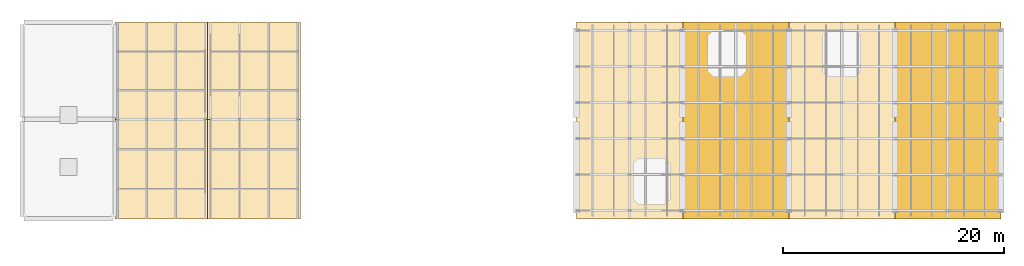
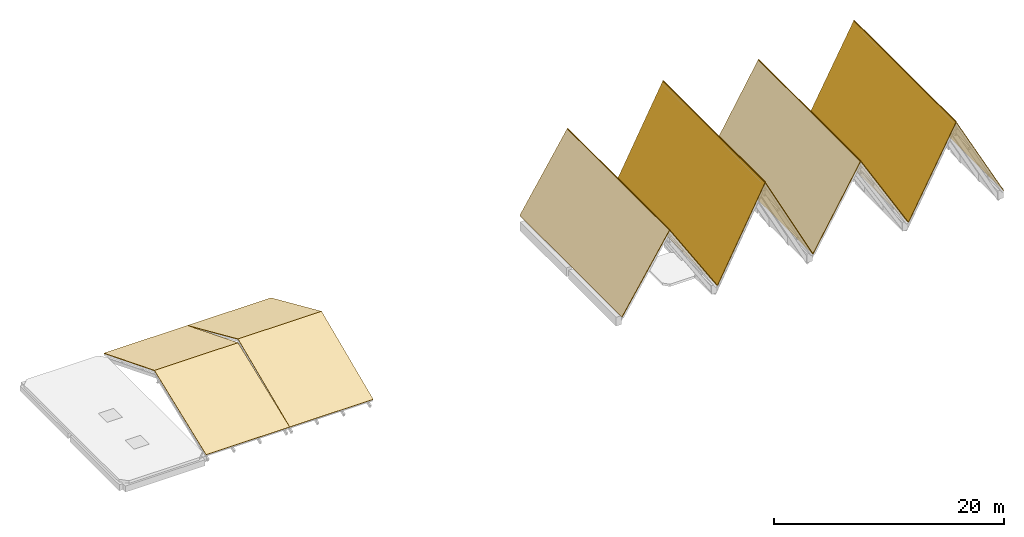
# One storey, part 3 of 3: 12 coverings.
"""IFC4 building model written with IfcOpenShell, lengths in metres."""

from ifc_helpers import new_model, si_unit, direction, frame, origin, place, context, subcontext, project, spatial, polyline, outline, extrude, material, layer, layer_set, type_object, element, save


model = new_model("IFC4")

# Units and contexts
model_context = context("Model", 3, precision=1e-05, world=origin(), true_north=direction((0.0, 1.0)))
body_context = subcontext(model_context, "Body", "Model", "MODEL_VIEW")
ifc_project = project(units=[si_unit("LENGTHUNIT", "METRE"), si_unit("AREAUNIT", "SQUARE_METRE"), si_unit("VOLUMEUNIT", "CUBIC_METRE"), si_unit("PLANEANGLEUNIT", "RADIAN"), si_unit("MASSUNIT", "GRAM", prefix="KILO")], contexts=[model_context])

# Site, building, storey
site_placement = place(None, origin())
site = spatial("IfcSite", under=ifc_project, at=site_placement, CompositionType="ELEMENT")
building_placement = place(site_placement, origin())
building = spatial("IfcBuilding", under=site, at=building_placement, Name="Birchvale Park Specialist Clinic", CompositionType="ELEMENT")
storey_placement = place(building_placement, frame((0.0, 0.0, 26.39990234375)))
storey = spatial("IfcBuildingStorey", under=building, at=storey_placement, Name="L06", CompositionType="ELEMENT", Elevation=26.39990234375)

# Coverings
ifc_material = material(Name="Standing-seam titanium-zinc roofing")
ifc_layer = layer(ifc_material, 0.06005859375)
ifc_layer_set = layer_set([ifc_layer], Name="Standing-seam titanium-zinc roofing")
covering_type = type_object("IfcCoveringType", Name="COV-RF1", PredefinedType="ROOFING", material=ifc_layer_set)
for number, where, z_axis, x_axis, name in (
    (1, (61.39990234375, 16.800048828125, 0.06005859375), (-0.845489548416, 0.0, 0.533991969528), (0.533991969528, 0.0, 0.845489548416), "L06 standing-seam zinc roof V4-B2 W"),
    (2, (66.199951171875, 16.800048828125, 7.66015625), (0.845489548416, 0.0, 0.533991969528), (0.533991969528, 0.0, -0.845489548416), "L06 standing-seam zinc roof V4-B2 E"),
):
    element("IfcCovering", number, at=place(storey_placement, frame(where, z_axis=z_axis, x_axis=x_axis)), inside=storey, type_object=covering_type, Name=name, PredefinedType="ROOFING", context=body_context, shape_type="SweptSolid", body=[
        extrude(outline(polyline([(0.0, 0.0), (8.988990662856477, 0.0), (8.988990662856477, 17.800048828125), (0.0, 17.800048828125), (0.0, 0.0)])), origin(), (0.0, 0.0, -1.0), 0.06005859375),
    ])
for number, where, z_axis, x_axis, name in (
    (3, (71.0, 16.800048828125, 0.06005859375), (-0.888619736982, 0.0, 0.458644702407), (0.458644702407, 0.0, 0.888619736982), "L06 standing-seam zinc roof V4-B3 W"),
    (4, (75.800048828125, 16.800048828125, 9.360107421875), (0.888619736982, 0.0, 0.458644702407), (0.458644702407, 0.0, -0.888619736982), "L06 standing-seam zinc roof V4-B3 E"),
):
    element("IfcCovering", number, at=place(storey_placement, frame(where, z_axis=z_axis, x_axis=x_axis)), inside=storey, type_object=covering_type, Name=name, PredefinedType="ROOFING", context=body_context, shape_type="SweptSolid", body=[
        extrude(outline(polyline([(0.0, 0.0), (10.465723909882843, 0.0), (10.465723909882843, 17.800048828125), (0.0, 17.800048828125), (0.0, 0.0)])), origin(), (0.0, 0.0, -1.0), 0.06005859375),
    ])
covering_1_placement = place(storey_placement, frame((80.60009765625, 16.800048828125, 0.06005859375), z_axis=(-0.863022119723, 0.0, 0.505166131949), x_axis=(0.505166131949, 0.0, 0.863022119723)))
element("IfcCovering", 5, at=covering_1_placement, inside=storey, type_object=covering_type, Name="L06 standing-seam zinc roof V4-B4 W", PredefinedType="ROOFING", context=body_context, shape_type="SweptSolid", body=[
    extrude(outline(polyline([(0.0, 0.0), (9.501438010074116, 0.0), (9.501438010074116, 17.800048828125004), (0.0, 17.800048828125004), (0.0, 0.0)])), origin(), (0.0, 0.0, -1.0), 0.06005859375),
])
covering_2_placement = place(storey_placement, frame((85.39990234375, 16.800048828125, 8.260009765625), z_axis=(0.863010917365, 0.0, 0.505185269489), x_axis=(0.505185269489, 0.0, -0.863010917365)))
element("IfcCovering", 6, at=covering_2_placement, inside=storey, type_object=covering_type, Name="L06 standing-seam zinc roof V4-B4 E", PredefinedType="ROOFING", context=body_context, shape_type="SweptSolid", body=[
    extrude(outline(polyline([(0.0, 0.0), (9.50156134398544, 0.0), (9.50156134398544, 17.800048828125), (0.0, 17.800048828125), (0.0, 0.0)])), origin(), (0.0, 0.0, -1.0), 0.06005859375),
])
for number, where, z_axis, x_axis, name in (
    (7, (90.199951171875, 16.800048828125, 0.06005859375), (-0.882350953462, 0.0, 0.47059196224), (0.47059196224, 0.0, 0.882350953462), "L06 standing-seam zinc roof V4-B5 W"),
    (8, (95.0, 16.800048828125, 9.06005859375), (0.882350953462, 0.0, 0.47059196224), (0.47059196224, 0.0, -0.882350953462), "L06 standing-seam zinc roof V4-B5 E"),
):
    element("IfcCovering", number, at=place(storey_placement, frame(where, z_axis=z_axis, x_axis=x_axis)), inside=storey, type_object=covering_type, Name=name, PredefinedType="ROOFING", context=body_context, shape_type="SweptSolid", body=[
        extrude(outline(polyline([(0.0, 0.0), (10.200022978032168, 0.0), (10.200022978032168, 17.800048828125), (0.0, 17.800048828125), (0.0, 0.0)])), origin(), (0.0, 0.0, -1.0), 0.06005859375),
    ])
covering_3_placement = place(storey_placement, frame((19.60009765625, 16.800048828125, 0.06005859375), z_axis=(0.0, -0.362446261155, 0.932004671541), x_axis=(1.0, 0.0, 0.0)))
element("IfcCovering", 9, at=covering_3_placement, inside=storey, type_object=covering_type, Name="L06 standing-seam zinc roof V2-L06-G1 S", PredefinedType="ROOFING", context=body_context, shape_type="SweptSolid", body=[
    extrude(outline(polyline([(0.0, 0.0), (8.39990234375, 0.0), (8.39990234375, 9.656603957913983), (0.0, 9.656603957913983), (0.0, 0.0)])), origin(), (0.0, 0.0, -1.0), 0.06005859375),
])
covering_4_placement = place(storey_placement, frame((19.60009765625, 25.800048828125, 3.56005859375), z_axis=(0.0, 0.369567652858, 0.929203825843), x_axis=(1.0, 0.0, 0.0)))
element("IfcCovering", 10, at=covering_4_placement, inside=storey, type_object=covering_type, Name="L06 standing-seam zinc roof V2-L06-G1 N", PredefinedType="ROOFING", context=body_context, shape_type="SweptSolid", body=[
    extrude(outline(polyline([(0.0, 0.0), (8.39990234375, 0.0), (8.39990234375, 9.470525823700825), (0.0, 9.470525823700825), (0.0, 0.0)])), origin(), (0.0, 0.0, -1.0), 0.06005859375),
])
covering_5_placement = place(storey_placement, frame((28.0, 16.800048828125, 0.06005859375), z_axis=(0.0, -0.397620010727, 0.917550176867), x_axis=(1.0, 0.0, 0.0)))
element("IfcCovering", 11, at=covering_5_placement, inside=storey, type_object=covering_type, Name="L06 standing-seam zinc roof V2-L06-G2 S", PredefinedType="ROOFING", context=body_context, shape_type="SweptSolid", body=[
    extrude(outline(polyline([(0.0, 0.0), (8.39990234375, 0.0), (8.39990234375, 9.80872787876097), (0.0, 9.80872787876097), (0.0, 0.0)])), origin(), (0.0, 0.0, -1.0), 0.06005859375),
])
covering_6_placement = place(storey_placement, frame((28.0, 25.800048828125, 3.960205078125), z_axis=(0.0, 0.405185145198, 0.914234651559), x_axis=(1.0, 0.0, 0.0)))
element("IfcCovering", 12, at=covering_6_placement, inside=storey, type_object=covering_type, Name="L06 standing-seam zinc roof V2-L06-G2 N", PredefinedType="ROOFING", context=body_context, shape_type="SweptSolid", body=[
    extrude(outline(polyline([(0.0, 0.0), (8.39990234375, 0.0), (8.39990234375, 9.62559099364641), (0.0, 9.62559099364641), (0.0, 0.0)])), origin(), (0.0, 0.0, -1.0), 0.06005859375),
])

save(model, "model.ifc")
